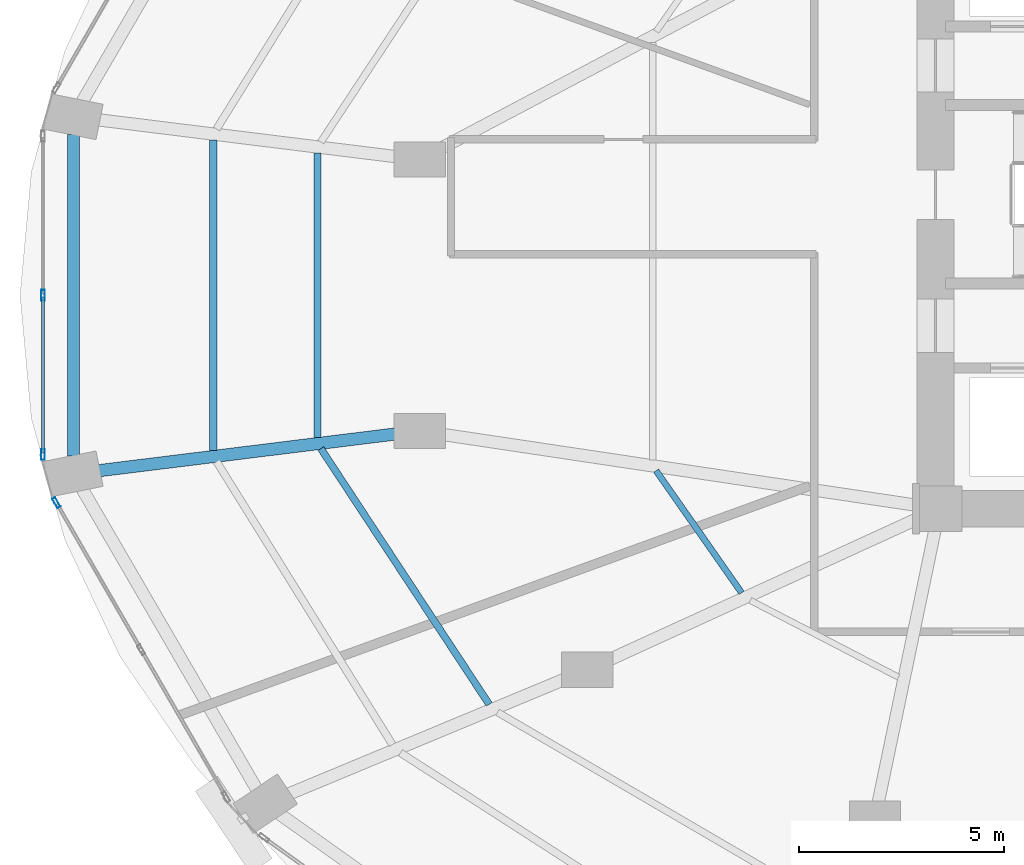
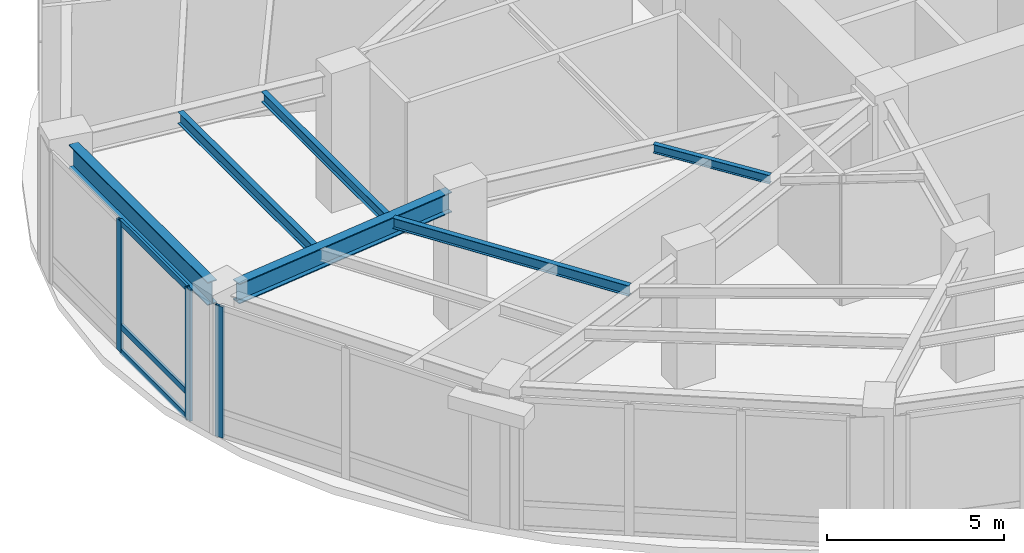
# One storey, part 6 of 24: 6 beams, 6 members, 2 elements without a shape of their own.
"""IFC4 building model written with IfcOpenShell, lengths in metres."""

from ifc_helpers import new_model, si_unit, direction, frame, origin, origin_2d, place, context, subcontext, project, spatial, hollow_rectangle, i_section, extrude, material, layer, layer_set, material_profile, profile_set, type_object, element, aggregate, save


model = new_model("IFC4")

# Units and contexts
model_context = context("Model", 3, precision=1e-05, world=origin(), true_north=direction((0.0, 1.0)))
body_context = subcontext(model_context, "Body", "Model", "MODEL_VIEW")
ifc_project = project(units=[si_unit("LENGTHUNIT", "METRE"), si_unit("AREAUNIT", "SQUARE_METRE"), si_unit("VOLUMEUNIT", "CUBIC_METRE"), si_unit("PLANEANGLEUNIT", "RADIAN"), si_unit("MASSUNIT", "GRAM", prefix="KILO")], contexts=[model_context])

# Site, building, storey
site_placement = place(None, origin())
site = spatial("IfcSite", under=ifc_project, at=site_placement, CompositionType="ELEMENT")
building_placement = place(site_placement, origin())
building = spatial("IfcBuilding", under=site, at=building_placement, Name="Lazwardi Medical Tower", CompositionType="ELEMENT")
storey_placement = place(building_placement, frame((0.0, 0.0, 15.60009765625)))
storey = spatial("IfcBuildingStorey", under=building, at=storey_placement, Name="L03", CompositionType="ELEMENT", Elevation=15.60009765625)

# Beams
ifc_material_1 = material(Name="Steel S355", Category="steel")
ifc_material_profile_1 = material_profile(ifc_material_1, i_section(OverallWidth=0.300048828125, OverallDepth=0.800048828125, WebThickness=0.017578125, FlangeThickness=0.032958984375, at=origin_2d()), Name="HEB 800")
ifc_profile_set_1 = profile_set([ifc_material_profile_1], Name="Steel S355")
beam_type_1 = type_object("IfcBeamType", Name="BM-RB-P1", PredefinedType="BEAM", material=ifc_profile_set_1)
beam_1_placement = place(storey_placement, frame((5.301513671875, 29.5205078125, 4.119873046875), z_axis=(0.0, -1.0, 0.0), x_axis=(1.0, 0.0, 0.0)))
element("IfcBeam", 1, at=beam_1_placement, inside=storey, type_object=beam_type_1, Name="Ring beam RB-01 B12 L03", PredefinedType="BEAM", context=body_context, shape_type="SweptSolid", body=[
    extrude(i_section(OverallWidth=0.300048828125, OverallDepth=0.800048828125, WebThickness=0.017578125, FlangeThickness=0.032958984375, at=origin_2d()), origin(), (0.0, 0.0, 1.0), 7.841064453125),
])
ifc_material_profile_2 = material_profile(ifc_material_1, i_section(OverallWidth=0.300048828125, OverallDepth=0.699951171875, WebThickness=0.01708984375, FlangeThickness=0.031982421875, at=origin_2d()), Name="HEB 700")
ifc_profile_set_2 = profile_set([ifc_material_profile_2], Name="Steel S355")
beam_type_2 = type_object("IfcBeamType", Name="BM-RG-P1", PredefinedType="BEAM", material=ifc_profile_set_2)
beam_2_placement = place(storey_placement, frame((5.876953125, 21.32080078125, 4.169921875), z_axis=(0.992421549031, 0.122879896728, 0.0), x_axis=(-0.122879896728, 0.992421549031, 0.0)))
element("IfcBeam", 2, at=beam_2_placement, inside=storey, type_object=beam_type_2, Name="Radial girder RG-01 R13A L03", PredefinedType="BEAM", context=body_context, shape_type="SweptSolid", body=[
    extrude(i_section(OverallWidth=0.300048828125, OverallDepth=0.699951171875, WebThickness=0.01708984375, FlangeThickness=0.031982421875, at=origin_2d()), origin(), (0.0, 0.0, 1.0), 7.52001953125),
])
ifc_material_profile_3 = material_profile(ifc_material_1, i_section(OverallWidth=0.179931640625, OverallDepth=0.39990234375, WebThickness=0.008544921875, FlangeThickness=0.013427734375, at=origin_2d()), Name="IPE 400")
ifc_profile_set_3 = profile_set([ifc_material_profile_3], Name="Steel S355")
beam_type_3 = type_object("IfcBeamType", Name="BM-SJ-01", PredefinedType="JOIST", material=ifc_profile_set_3)
beam_3_placement = place(storey_placement, frame((8.712890625, 29.383056640625, 4.31982421875), z_axis=(0.0, -1.0, 0.0), x_axis=(1.0, 0.0, 0.0)))
element("IfcBeam", 3, at=beam_3_placement, inside=storey, type_object=beam_type_3, Name="Secondary joist SJ-01 RO1 B12 L03", PredefinedType="JOIST", context=body_context, shape_type="SweptSolid", body=[
    extrude(i_section(OverallWidth=0.179931640625, OverallDepth=0.39990234375, WebThickness=0.008544921875, FlangeThickness=0.013427734375, at=origin_2d()), origin(), (0.0, 0.0, 1.0), 7.566162109375),
])
ifc_material_profile_4 = material_profile(ifc_material_1, i_section(OverallWidth=0.169921875, OverallDepth=0.360107421875, WebThickness=0.008056640625, FlangeThickness=0.0126953125, at=origin_2d()), Name="IPE 360")
ifc_profile_set_4 = profile_set([ifc_material_profile_4], Name="Steel S355")
beam_type_4 = type_object("IfcBeamType", Name="BM-SJ-02", PredefinedType="JOIST", material=ifc_profile_set_4)
beam_4_placement = place(storey_placement, frame((11.25048828125, 29.06884765625, 4.33984375), z_axis=(0.0, -1.0, 0.0), x_axis=(1.0, 0.0, 0.0)))
element("IfcBeam", 4, at=beam_4_placement, inside=storey, type_object=beam_type_4, Name="Secondary joist SJ-02 RO2 B12 L03", PredefinedType="JOIST", context=body_context, shape_type="SweptSolid", body=[
    extrude(i_section(OverallWidth=0.169921875, OverallDepth=0.360107421875, WebThickness=0.008056640625, FlangeThickness=0.0126953125, at=origin_2d()), origin(), (0.0, 0.0, 1.0), 6.937744140625),
])
beam_5_placement = place(storey_placement, frame((11.330078125, 21.864990234375, 4.33984375), z_axis=(0.549697059584, -0.835364077924, 0.0), x_axis=(0.835364077924, 0.549697059584, 0.0)))
element("IfcBeam", 5, at=beam_5_placement, inside=storey, type_object=beam_type_4, Name="Secondary joist SJ-02 RO2 B13 L03", PredefinedType="JOIST", context=body_context, shape_type="SweptSolid", body=[
    extrude(i_section(OverallWidth=0.169921875, OverallDepth=0.360107421875, WebThickness=0.008056640625, FlangeThickness=0.0126953125, at=origin_2d()), origin(), (0.0, 0.0, 1.0), 7.45849609375),
])
ifc_material_profile_5 = material_profile(ifc_material_1, i_section(OverallWidth=0.14990234375, OverallDepth=0.300048828125, WebThickness=0.007080078125, FlangeThickness=0.0107421875, at=origin_2d()), Name="IPE 300")
ifc_profile_set_5 = profile_set([ifc_material_profile_5], Name="Steel S355")
beam_type_5 = type_object("IfcBeamType", Name="BM-SJ-03", PredefinedType="JOIST", material=ifc_profile_set_5)
beam_6_placement = place(storey_placement, frame((19.498046875, 21.325927734375, 4.369873046875), z_axis=(0.573579674623, -0.819149776817, 0.0), x_axis=(0.819149776817, 0.573579674623, 0.0)))
element("IfcBeam", 6, at=beam_6_placement, inside=storey, type_object=beam_type_5, Name="Secondary joist SJ-03 RI1 B13 L03", PredefinedType="JOIST", context=body_context, shape_type="SweptSolid", body=[
    extrude(i_section(OverallWidth=0.14990234375, OverallDepth=0.300048828125, WebThickness=0.007080078125, FlangeThickness=0.0107421875, at=origin_2d()), origin(), (0.0, 0.0, 1.0), 3.630859375),
])

# Curtain wall, members
ifc_material_2 = material(Name="Anodised bronze aluminium and solar control glazing", Category="aluminium")
ifc_layer = layer(ifc_material_2, 0.219970703125)
ifc_layer_set = layer_set([ifc_layer], Name="Anodised bronze aluminium and solar control glazing")
curtain_wall_type = type_object("IfcCurtainWallType", Name="CW-SYS-01", PredefinedType="NOTDEFINED", material=ifc_layer_set)
curtain_wall_1_placement = place(storey_placement, origin())
curtain_wall_1 = element("IfcCurtainWall", 7, at=curtain_wall_1_placement, inside=storey, type_object=curtain_wall_type, Name="L03 Unitised bronze curtain wall CW-01", PredefinedType="NOTDEFINED")
ifc_material_3 = material(Name="Anodised bronze aluminium", Category="aluminium")
ifc_material_profile_6 = material_profile(ifc_material_3, hollow_rectangle(XDim=0.0849609375, YDim=0.260009765625, WallThickness=0.0048828125, at=origin_2d()), Name="ALU-MULLION 260x85x5")
ifc_profile_set_6 = profile_set([ifc_material_profile_6], Name="Anodised bronze aluminium")
member_type_1 = type_object("IfcMemberType", Name="CW-MUL-02", PredefinedType="MULLION", material=ifc_profile_set_6)
member_1_placement = place(storey_placement, frame((4.560302734375, 25.60009765625, 0.0), z_axis=(0.0, 0.0, 1.0), x_axis=(1.0, 0.0, 0.0)))
member_1 = element("IfcMember", 8, at=member_1_placement, type_object=member_type_1, Name="CW-01 mullion 2", PredefinedType="MULLION", context=body_context, shape_type="SweptSolid", body=[
    extrude(hollow_rectangle(XDim=0.0849609375, YDim=0.260009765625, WallThickness=0.0048828125, at=origin_2d()), origin(), (0.0, 0.0, 1.0), 4.52001953125),
])
member_2_placement = place(storey_placement, frame((4.560302734375, 21.723388671875, 0.0), z_axis=(0.0, 0.0, 1.0), x_axis=(1.0, 0.0, 0.0)))
member_2 = element("IfcMember", 9, at=member_2_placement, type_object=member_type_1, Name="CW-01 mullion 3", PredefinedType="MULLION", context=body_context, shape_type="SweptSolid", body=[
    extrude(hollow_rectangle(XDim=0.0849609375, YDim=0.260009765625, WallThickness=0.0048828125, at=origin_2d()), origin(), (0.0, 0.0, 1.0), 4.52001953125),
])

# Curtain wall, member
curtain_wall_2_placement = place(storey_placement, origin())
curtain_wall_2 = element("IfcCurtainWall", 10, at=curtain_wall_2_placement, inside=storey, type_object=curtain_wall_type, Name="L03 Unitised bronze curtain wall CW-01", PredefinedType="NOTDEFINED")
member_3_placement = place(storey_placement, frame((4.8857421875, 20.5458984375, 0.0), z_axis=(0.0, 0.0, 1.0), x_axis=(0.866180607783, 0.499731082384, 0.0)))
member_3 = element("IfcMember", 11, at=member_3_placement, type_object=member_type_1, Name="CW-01 mullion 1", PredefinedType="MULLION", context=body_context, shape_type="SweptSolid", body=[
    extrude(hollow_rectangle(XDim=0.0849609375, YDim=0.260009765625, WallThickness=0.0048828125, at=origin_2d()), origin(), (0.0, 0.0, 1.0), 4.52001953125),
])
aggregate(curtain_wall_2, [member_3])

# Member
ifc_material_profile_7 = material_profile(ifc_material_3, hollow_rectangle(XDim=0.0849609375, YDim=0.199951171875, WallThickness=0.00439453125, at=origin_2d()), Name="ALU-TRANSOM 200x85x4.5")
ifc_profile_set_7 = profile_set([ifc_material_profile_7], Name="Anodised bronze aluminium")
member_type_2 = type_object("IfcMemberType", Name="CW-TRN-02", PredefinedType="USERDEFINED", material=ifc_profile_set_7)
member_4_placement = place(storey_placement, frame((4.560302734375, 25.5576171875, 0.04248046875), z_axis=(0.0, -1.0, 0.0), x_axis=(1.0, 0.0, 0.0)))
member_4 = element("IfcMember", 12, at=member_4_placement, type_object=member_type_2, Name="CW-01 transom 2.1", ObjectType="TRANSOM", PredefinedType="USERDEFINED", context=body_context, shape_type="SweptSolid", body=[
    extrude(hollow_rectangle(XDim=0.0849609375, YDim=0.199951171875, WallThickness=0.00439453125, at=origin_2d()), origin(), (0.0, 0.0, 1.0), 3.791748046875),
])

member_5_placement = place(storey_placement, frame((4.560302734375, 25.5576171875, 0.89990234375), z_axis=(0.0, -1.0, 0.0), x_axis=(1.0, 0.0, 0.0)))
member_5 = element("IfcMember", 13, at=member_5_placement, type_object=member_type_2, Name="CW-01 transom 2.2", ObjectType="TRANSOM", PredefinedType="USERDEFINED", context=body_context, shape_type="SweptSolid", body=[
    extrude(hollow_rectangle(XDim=0.0849609375, YDim=0.199951171875, WallThickness=0.00439453125, at=origin_2d()), origin(), (0.0, 0.0, 1.0), 3.791748046875),
])

member_6_placement = place(storey_placement, frame((4.560302734375, 25.5576171875, 4.477294921875), z_axis=(0.0, -1.0, 0.0), x_axis=(1.0, 0.0, 0.0)))
member_6 = element("IfcMember", 14, at=member_6_placement, type_object=member_type_2, Name="CW-01 transom 2.3", ObjectType="TRANSOM", PredefinedType="USERDEFINED", context=body_context, shape_type="SweptSolid", body=[
    extrude(hollow_rectangle(XDim=0.0849609375, YDim=0.199951171875, WallThickness=0.00439453125, at=origin_2d()), origin(), (0.0, 0.0, 1.0), 3.791748046875),
])

aggregate(curtain_wall_1, [member_1, member_2, member_4, member_5, member_6])

save(model, "model.ifc")
